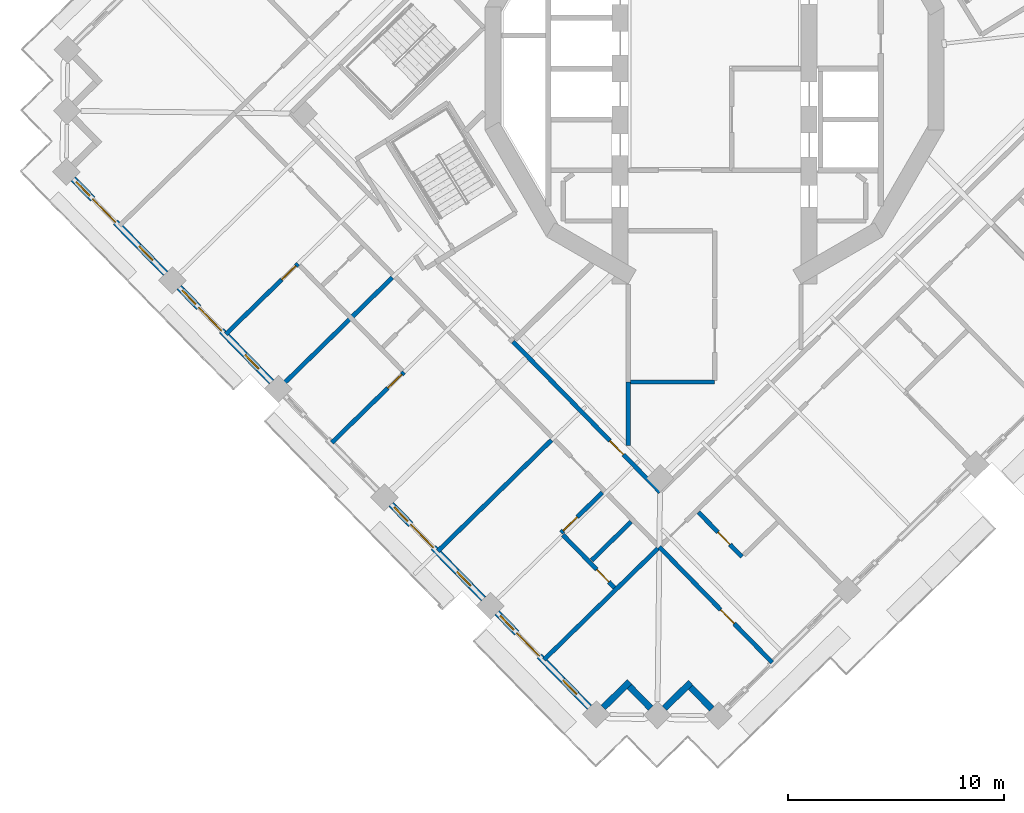
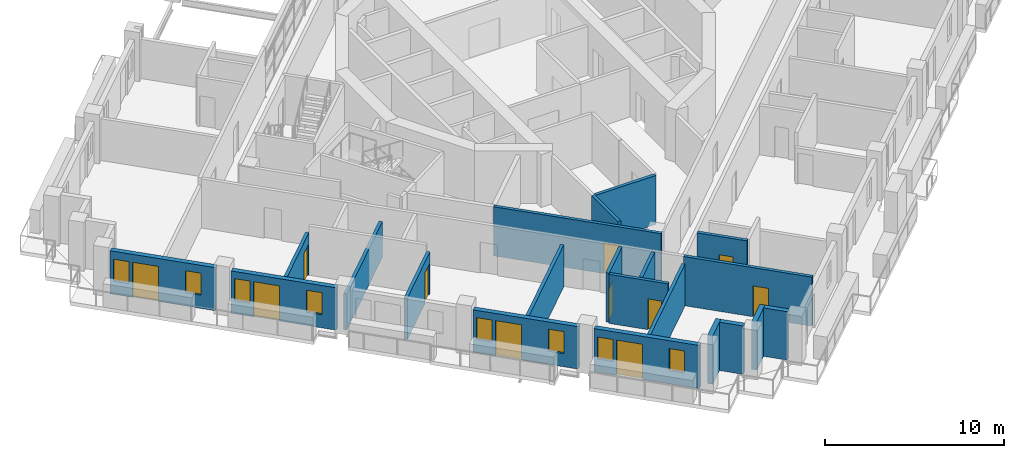
# One storey, part 5 of 18: 21 walls, 11 doors, 8 windows, 19 openings.
"""IFC4 building model written with IfcOpenShell, lengths in metres."""

from ifc_helpers import new_model, si_unit, direction, frame, frame_2d, origin, place, context, subcontext, project, spatial, rectangle, extrude, material, layer, layer_set, type_object, element, fill, save


model = new_model("IFC4")

# Units and contexts
model_context = context("Model", 3, precision=1e-05, world=origin(), true_north=direction((0.0, 1.0)))
body_context = subcontext(model_context, "Body", "Model", "MODEL_VIEW")
ifc_project = project(units=[si_unit("LENGTHUNIT", "METRE"), si_unit("AREAUNIT", "SQUARE_METRE"), si_unit("VOLUMEUNIT", "CUBIC_METRE"), si_unit("PLANEANGLEUNIT", "RADIAN"), si_unit("MASSUNIT", "GRAM", prefix="KILO")], contexts=[model_context])

# Site, building, storey
site_placement = place(None, origin())
site = spatial("IfcSite", under=ifc_project, at=site_placement, CompositionType="ELEMENT")
building_placement = place(site_placement, origin())
building = spatial("IfcBuilding", under=site, at=building_placement, Name="Cantera Rosa Tower", CompositionType="ELEMENT")
storey_placement = place(building_placement, frame((0.0, 0.0, 219.800048828125)))
storey = spatial("IfcBuildingStorey", under=building, at=storey_placement, Name="L47", CompositionType="ELEMENT", Elevation=219.800048828125)

# Wall, opening, door
ifc_material_1 = material(Name="Gypsum board partition")
ifc_layer_1 = layer(ifc_material_1, 0.199951171875)
ifc_layer_set_1 = layer_set([ifc_layer_1], Name="CORRIDOR WALL 200 H3350")
wall_type_1 = type_object("IfcWallType", Name="CORRIDOR WALL 200 H3350", PredefinedType="PARTITIONING", material=ifc_layer_set_1)
wall_1_placement = place(storey_placement, frame((-9.325927734375, -12.634521484375, 0.0), z_axis=(0.0, 0.0, 1.0), x_axis=(0.698841350765, -0.71527670622, 0.0)))
wall_1 = element("IfcWall", 1, at=wall_1_placement, inside=storey, type_object=wall_type_1, Name="CORRIDOR WALL L47-032", PredefinedType="PARTITIONING", context=body_context, shape_type="SweptSolid", body=[
    extrude(rectangle(XDim=9.729736328125, YDim=0.199951171875, at=frame_2d((4.86474609375, 0.0))), origin(), (0.0, 0.0, 1.0), 3.349853515625),
])
opening_1_placement = place(wall_1_placement, frame((6.406982421875, 0.0, 0.0)))
opening_1 = element("IfcOpeningElement", 2, at=opening_1_placement, cuts=wall_1, Name="Opening L47-010", PredefinedType="OPENING", context=body_context, shape_type="SweptSolid", body=[
    extrude(rectangle(XDim=0.89990234375, YDim=2.10009765625, at=frame_2d((0.449951171875, 1.050048828125))), frame((0.0, 0.10986328125, 0.0), z_axis=(0.0, -1.0, 0.0), x_axis=(1.0, 0.0, 0.0)), (0.0, 0.0, 1.0), 0.219970703125),
])
ifc_material_2 = material(Name="Timber door leaf", Category="wood")
door_type_1 = type_object("IfcDoorType", Name="SERVICE DOOR 900x2100", OperationType="NOTDEFINED", PredefinedType="DOOR", material=ifc_material_2)
door_1_placement = place(opening_1_placement, origin())
door_1 = element("IfcDoor", 3, at=door_1_placement, inside=storey, type_object=door_type_1, Name="DOOR L47-010", OperationType="NOTDEFINED", OverallHeight=2.10009765625, OverallWidth=0.89990234375, PredefinedType="DOOR", context=body_context, shape_type="SweptSolid", body=[
    extrude(rectangle(XDim=0.89990234375, YDim=2.10009765625, at=frame_2d((0.449951171875, 1.050048828125))), frame((0.0, 0.02490234375, 0.0), z_axis=(0.0, -1.0, 0.0), x_axis=(1.0, 0.0, 0.0)), (0.0, 0.0, 1.0), 0.050048828125),
])
fill(opening_1, door_1)

# Walls
wall_2_placement = place(storey_placement, frame((-4.0, -14.5, 0.0), z_axis=(0.0, 0.0, 1.0), x_axis=(0.0, -1.0, 0.0)))
element("IfcWall", 4, at=wall_2_placement, inside=storey, type_object=wall_type_1, Name="CORRIDOR WALL L47-051", PredefinedType="PARTITIONING", context=body_context, shape_type="SweptSolid", body=[
    extrude(rectangle(XDim=2.94189453125, YDim=0.199951171875, at=frame_2d((1.470947265625, 0.0))), origin(), (0.0, 0.0, 1.0), 3.349853515625),
])
wall_3_placement = place(storey_placement, frame((-3.89990234375, -14.5, 0.0), z_axis=(0.0, 0.0, 1.0), x_axis=(1.0, 0.0, 0.0)))
element("IfcWall", 5, at=wall_3_placement, inside=storey, type_object=wall_type_1, Name="CORRIDOR WALL L47-052", PredefinedType="PARTITIONING", context=body_context, shape_type="SweptSolid", body=[
    extrude(rectangle(XDim=3.89990234375, YDim=0.199951171875, at=frame_2d((1.949951171875, 0.0))), origin(), (0.0, 0.0, 1.0), 3.349853515625),
])
ifc_material_3 = material(Name="Hollow clay masonry with cantera stone cladding", Category="masonry")
ifc_layer_2 = layer(ifc_material_3, 0.300048828125)
ifc_layer_set_2 = layer_set([ifc_layer_2], Name="EW-LOGGIA 300")
wall_type_2 = type_object("IfcWallType", Name="EW-LOGGIA 300", PredefinedType="SOLIDWALL", material=ifc_layer_set_2)
wall_4_placement = place(storey_placement, frame((-5.15283203125, -29.56982421875, 0.0), z_axis=(0.0, 0.0, 1.0), x_axis=(0.715316077832, 0.69880105094, 0.0)))
element("IfcWall", 6, at=wall_4_placement, inside=storey, type_object=wall_type_2, Name="EN-L47-W19a", PredefinedType="SOLIDWALL", context=body_context, shape_type="SweptSolid", body=[
    extrude(rectangle(XDim=1.699951171875, YDim=0.300048828125, at=frame_2d((0.85009765625, 0.0))), origin(), (0.0, 0.0, 1.0), 3.300048828125),
])
wall_5_placement = place(storey_placement, frame((-3.939208984375, -28.593994140625, 0.0), z_axis=(0.0, 0.0, 1.0), x_axis=(0.698861982187, -0.715256548278, 0.0)))
element("IfcWall", 7, at=wall_5_placement, inside=storey, type_object=wall_type_2, Name="EN-L47-W19b", PredefinedType="SOLIDWALL", context=body_context, shape_type="SweptSolid", body=[
    extrude(rectangle(XDim=1.39990234375, YDim=0.300048828125, at=frame_2d((0.699951171875, 0.0))), origin(), (0.0, 0.0, 1.0), 3.300048828125),
])
wall_6_placement = place(storey_placement, frame((-2.324462890625, -29.602783203125, 0.0), z_axis=(0.0, 0.0, 1.0), x_axis=(0.715316077832, 0.69880105094, 0.0)))
element("IfcWall", 8, at=wall_6_placement, inside=storey, type_object=wall_type_2, Name="EN-L47-W20a", PredefinedType="SOLIDWALL", context=body_context, shape_type="SweptSolid", body=[
    extrude(rectangle(XDim=1.699951171875, YDim=0.300048828125, at=frame_2d((0.85009765625, 0.0))), origin(), (0.0, 0.0, 1.0), 3.300048828125),
])
wall_7_placement = place(storey_placement, frame((-1.111083984375, -28.626953125, 0.0), z_axis=(0.0, 0.0, 1.0), x_axis=(0.698951192766, -0.71516937164, 0.0)))
element("IfcWall", 9, at=wall_7_placement, inside=storey, type_object=wall_type_2, Name="EN-L47-W20b", PredefinedType="SOLIDWALL", context=body_context, shape_type="SweptSolid", body=[
    extrude(rectangle(XDim=1.39990234375, YDim=0.300048828125, at=frame_2d((0.699951171875, 0.0))), origin(), (0.0, 0.0, 1.0), 3.300048828125),
])

# Wall, openings, windows, door
ifc_material_4 = material(Name="Hollow clay masonry with cantera stone cladding", Category="masonry")
ifc_layer_3 = layer(ifc_material_4, 0.300048828125)
ifc_layer_set_3 = layer_set([ifc_layer_3], Name="EW-LOGGIA 300 H2890")
wall_type_3 = type_object("IfcWallType", Name="EW-LOGGIA 300 H2890", PredefinedType="SOLIDWALL", material=ifc_layer_set_3)
wall_8_placement = place(storey_placement, frame((-24.783203125, -10.120849609375, 0.0), z_axis=(0.0, 0.0, 1.0), x_axis=(0.698800768177, -0.715316354067, 0.0)))
wall_8 = element("IfcWall", 10, at=wall_8_placement, inside=storey, type_object=wall_type_3, Name="EN-L47-W15", PredefinedType="SOLIDWALL", context=body_context, shape_type="SweptSolid", body=[
    extrude(rectangle(XDim=6.119873046875, YDim=0.300048828125, at=frame_2d((3.06005859375, 0.0))), origin(), (0.0, 0.0, 1.0), 2.889892578125),
])
opening_2_placement = place(wall_8_placement, frame((0.199951171875, 0.0, 0.89990234375)))
opening_2 = element("IfcOpeningElement", 11, at=opening_2_placement, cuts=wall_8, Name="Opening L47-W25", PredefinedType="OPENING", context=body_context, shape_type="SweptSolid", body=[
    extrude(rectangle(XDim=0.89990234375, YDim=1.5, at=frame_2d((0.449951171875, 0.75))), frame((0.0, 0.159912109375, 0.0), z_axis=(0.0, -1.0, 0.0), x_axis=(1.0, 0.0, 0.0)), (0.0, 0.0, 1.0), 0.320068359375),
])
opening_3_placement = place(wall_8_placement, frame((1.300048828125, 0.0, 0.0)))
opening_3 = element("IfcOpeningElement", 12, at=opening_3_placement, cuts=wall_8, Name="Opening L47-TD26", PredefinedType="OPENING", context=body_context, shape_type="SweptSolid", body=[
    extrude(rectangle(XDim=1.5, YDim=2.39990234375, at=frame_2d((0.75, 1.199951171875))), frame((0.0, 0.159912109375, 0.0), z_axis=(0.0, -1.0, 0.0), x_axis=(1.0, 0.0, 0.0)), (0.0, 0.0, 1.0), 0.320068359375),
])
opening_4_placement = place(wall_8_placement, frame((4.364990234375, 0.0, 0.89990234375)))
opening_4 = element("IfcOpeningElement", 13, at=opening_4_placement, cuts=wall_8, Name="Opening L47-W27", PredefinedType="OPENING", context=body_context, shape_type="SweptSolid", body=[
    extrude(rectangle(XDim=0.89990234375, YDim=1.5, at=frame_2d((0.449951171875, 0.75))), frame((0.0, 0.159912109375, 0.0), z_axis=(0.0, -1.0, 0.0), x_axis=(1.0, 0.0, 0.0)), (0.0, 0.0, 1.0), 0.320068359375),
])
ifc_material_5 = material(Name="Aluminium frame with clear glass", Category="aluminium")
window_type = type_object("IfcWindowType", Name="Residential window 900x1500", PartitioningType="SINGLE_PANEL", PredefinedType="WINDOW", material=ifc_material_5)
window_1_placement = place(opening_2_placement, origin())
window_1 = element("IfcWindow", 14, at=window_1_placement, inside=storey, type_object=window_type, Name="WINDOW L47-W25", OverallHeight=1.5, OverallWidth=0.89990234375, PartitioningType="SINGLE_PANEL", PredefinedType="WINDOW", context=body_context, shape_type="SweptSolid", body=[
    extrude(rectangle(XDim=0.89990234375, YDim=1.5, at=frame_2d((0.449951171875, 0.75))), frame((0.0, 0.030029296875, 0.0), z_axis=(0.0, -1.0, 0.0), x_axis=(1.0, 0.0, 0.0)), (0.0, 0.0, 1.0), 0.06005859375),
])
fill(opening_2, window_1)
window_2_placement = place(opening_4_placement, origin())
window_2 = element("IfcWindow", 15, at=window_2_placement, inside=storey, type_object=window_type, Name="WINDOW L47-W27", OverallHeight=1.5, OverallWidth=0.89990234375, PartitioningType="SINGLE_PANEL", PredefinedType="WINDOW", context=body_context, shape_type="SweptSolid", body=[
    extrude(rectangle(XDim=0.89990234375, YDim=1.5, at=frame_2d((0.449951171875, 0.75))), frame((0.0, 0.030029296875, 0.0), z_axis=(0.0, -1.0, 0.0), x_axis=(1.0, 0.0, 0.0)), (0.0, 0.0, 1.0), 0.06005859375),
])
fill(opening_4, window_2)
ifc_material_6 = material(Name="Aluminium frame with clear glass", Category="aluminium")
door_type_2 = type_object("IfcDoorType", Name="TD-R 1500x2400", OperationType="NOTDEFINED", PredefinedType="DOOR", material=ifc_material_6)
door_2_placement = place(opening_3_placement, origin())
door_2 = element("IfcDoor", 16, at=door_2_placement, inside=storey, type_object=door_type_2, Name="LOGGIA DOOR L47-TD26", OperationType="SLIDING_TO_LEFT", OverallHeight=2.39990234375, OverallWidth=1.5, PredefinedType="DOOR", context=body_context, shape_type="SweptSolid", body=[
    extrude(rectangle(XDim=1.5, YDim=2.39990234375, at=frame_2d((0.75, 1.199951171875))), frame((0.0, 0.02490234375, 0.0), z_axis=(0.0, -1.0, 0.0), x_axis=(1.0, 0.0, 0.0)), (0.0, 0.0, 1.0), 0.050048828125),
])
fill(opening_3, door_2)

wall_9_placement = place(storey_placement, frame((-14.9716796875, -20.16357421875, 0.0), z_axis=(0.0, 0.0, 1.0), x_axis=(0.698841120217, -0.71527693147, 0.0)))
wall_9 = element("IfcWall", 17, at=wall_9_placement, inside=storey, type_object=wall_type_3, Name="EN-L47-W17", PredefinedType="SOLIDWALL", context=body_context, shape_type="SweptSolid", body=[
    extrude(rectangle(XDim=6.119873046875, YDim=0.300048828125, at=frame_2d((3.06005859375, 0.0))), origin(), (0.0, 0.0, 1.0), 2.889892578125),
])
opening_5_placement = place(wall_9_placement, frame((0.199951171875, 0.0, 0.89990234375)))
opening_5 = element("IfcOpeningElement", 18, at=opening_5_placement, cuts=wall_9, Name="Opening L47-W31", PredefinedType="OPENING", context=body_context, shape_type="SweptSolid", body=[
    extrude(rectangle(XDim=0.89990234375, YDim=1.5, at=frame_2d((0.449951171875, 0.75))), frame((0.0, 0.159912109375, 0.0), z_axis=(0.0, -1.0, 0.0), x_axis=(1.0, 0.0, 0.0)), (0.0, 0.0, 1.0), 0.320068359375),
])
opening_6_placement = place(wall_9_placement, frame((1.300048828125, 0.0, 0.0)))
opening_6 = element("IfcOpeningElement", 19, at=opening_6_placement, cuts=wall_9, Name="Opening L47-TD32", PredefinedType="OPENING", context=body_context, shape_type="SweptSolid", body=[
    extrude(rectangle(XDim=1.5, YDim=2.39990234375, at=frame_2d((0.75, 1.199951171875))), frame((0.0, 0.159912109375, 0.0), z_axis=(0.0, -1.0, 0.0), x_axis=(1.0, 0.0, 0.0)), (0.0, 0.0, 1.0), 0.320068359375),
])
opening_7_placement = place(wall_9_placement, frame((4.364990234375, 0.0, 0.89990234375)))
opening_7 = element("IfcOpeningElement", 20, at=opening_7_placement, cuts=wall_9, Name="Opening L47-W33", PredefinedType="OPENING", context=body_context, shape_type="SweptSolid", body=[
    extrude(rectangle(XDim=0.89990234375, YDim=1.5, at=frame_2d((0.449951171875, 0.75))), frame((0.0, 0.159912109375, 0.0), z_axis=(0.0, -1.0, 0.0), x_axis=(1.0, 0.0, 0.0)), (0.0, 0.0, 1.0), 0.320068359375),
])
window_3_placement = place(opening_5_placement, origin())
window_3 = element("IfcWindow", 21, at=window_3_placement, inside=storey, type_object=window_type, Name="WINDOW L47-W31", OverallHeight=1.5, OverallWidth=0.89990234375, PartitioningType="SINGLE_PANEL", PredefinedType="WINDOW", context=body_context, shape_type="SweptSolid", body=[
    extrude(rectangle(XDim=0.89990234375, YDim=1.5, at=frame_2d((0.449951171875, 0.75))), frame((0.0, 0.030029296875, 0.0), z_axis=(0.0, -1.0, 0.0), x_axis=(1.0, 0.0, 0.0)), (0.0, 0.0, 1.0), 0.06005859375),
])
fill(opening_5, window_3)
window_4_placement = place(opening_7_placement, origin())
window_4 = element("IfcWindow", 22, at=window_4_placement, inside=storey, type_object=window_type, Name="WINDOW L47-W33", OverallHeight=1.5, OverallWidth=0.89990234375, PartitioningType="SINGLE_PANEL", PredefinedType="WINDOW", context=body_context, shape_type="SweptSolid", body=[
    extrude(rectangle(XDim=0.89990234375, YDim=1.5, at=frame_2d((0.449951171875, 0.75))), frame((0.0, 0.030029296875, 0.0), z_axis=(0.0, -1.0, 0.0), x_axis=(1.0, 0.0, 0.0)), (0.0, 0.0, 1.0), 0.06005859375),
])
fill(opening_7, window_4)
door_3_placement = place(opening_6_placement, origin())
door_3 = element("IfcDoor", 23, at=door_3_placement, inside=storey, type_object=door_type_2, Name="LOGGIA DOOR L47-TD32", OperationType="SLIDING_TO_LEFT", OverallHeight=2.39990234375, OverallWidth=1.5, PredefinedType="DOOR", context=body_context, shape_type="SweptSolid", body=[
    extrude(rectangle(XDim=1.5, YDim=2.39990234375, at=frame_2d((0.75, 1.199951171875))), frame((0.0, 0.02490234375, 0.0), z_axis=(0.0, -1.0, 0.0), x_axis=(1.0, 0.0, 0.0)), (0.0, 0.0, 1.0), 0.050048828125),
])
fill(opening_6, door_3)

ifc_material_7 = material(Name="Hollow clay masonry with cantera stone cladding", Category="masonry")
ifc_layer_4 = layer(ifc_material_7, 0.300048828125)
ifc_layer_set_4 = layer_set([ifc_layer_4], Name="EW-LOGGIA 300 H2940")
wall_type_4 = type_object("IfcWallType", Name="EW-LOGGIA 300 H2940", PredefinedType="SOLIDWALL", material=ifc_layer_set_4)
wall_10_placement = place(storey_placement, frame((-29.689208984375, -5.099609375, 0.0), z_axis=(0.0, 0.0, 1.0), x_axis=(0.69882117953, -0.715296413412, 0.0)))
wall_10 = element("IfcWall", 24, at=wall_10_placement, inside=storey, type_object=wall_type_4, Name="EN-L47-W14", PredefinedType="SOLIDWALL", context=body_context, shape_type="SweptSolid", body=[
    extrude(rectangle(XDim=6.1201171875, YDim=0.300048828125, at=frame_2d((3.06005859375, 0.0))), origin(), (0.0, 0.0, 1.0), 2.93994140625),
])
opening_8_placement = place(wall_10_placement, frame((0.199951171875, 0.0, 0.89990234375)))
opening_8 = element("IfcOpeningElement", 25, at=opening_8_placement, cuts=wall_10, Name="Opening L47-W22", PredefinedType="OPENING", context=body_context, shape_type="SweptSolid", body=[
    extrude(rectangle(XDim=0.89990234375, YDim=1.5, at=frame_2d((0.449951171875, 0.75))), frame((0.0, 0.159912109375, 0.0), z_axis=(0.0, -1.0, 0.0), x_axis=(1.0, 0.0, 0.0)), (0.0, 0.0, 1.0), 0.320068359375),
])
opening_9_placement = place(wall_10_placement, frame((1.300048828125, 0.0, 0.0)))
opening_9 = element("IfcOpeningElement", 26, at=opening_9_placement, cuts=wall_10, Name="Opening L47-TD23", PredefinedType="OPENING", context=body_context, shape_type="SweptSolid", body=[
    extrude(rectangle(XDim=1.5, YDim=2.39990234375, at=frame_2d((0.75, 1.199951171875))), frame((0.0, 0.159912109375, 0.0), z_axis=(0.0, -1.0, 0.0), x_axis=(1.0, 0.0, 0.0)), (0.0, 0.0, 1.0), 0.320068359375),
])
opening_10_placement = place(wall_10_placement, frame((4.364990234375, 0.0, 0.89990234375)))
opening_10 = element("IfcOpeningElement", 27, at=opening_10_placement, cuts=wall_10, Name="Opening L47-W24", PredefinedType="OPENING", context=body_context, shape_type="SweptSolid", body=[
    extrude(rectangle(XDim=0.89990234375, YDim=1.5, at=frame_2d((0.449951171875, 0.75))), frame((0.0, 0.159912109375, 0.0), z_axis=(0.0, -1.0, 0.0), x_axis=(1.0, 0.0, 0.0)), (0.0, 0.0, 1.0), 0.320068359375),
])
window_5_placement = place(opening_8_placement, origin())
window_5 = element("IfcWindow", 28, at=window_5_placement, inside=storey, type_object=window_type, Name="WINDOW L47-W22", OverallHeight=1.5, OverallWidth=0.89990234375, PartitioningType="SINGLE_PANEL", PredefinedType="WINDOW", context=body_context, shape_type="SweptSolid", body=[
    extrude(rectangle(XDim=0.89990234375, YDim=1.5, at=frame_2d((0.449951171875, 0.75))), frame((0.0, 0.030029296875, 0.0), z_axis=(0.0, -1.0, 0.0), x_axis=(1.0, 0.0, 0.0)), (0.0, 0.0, 1.0), 0.06005859375),
])
fill(opening_8, window_5)
window_6_placement = place(opening_10_placement, origin())
window_6 = element("IfcWindow", 29, at=window_6_placement, inside=storey, type_object=window_type, Name="WINDOW L47-W24", OverallHeight=1.5, OverallWidth=0.89990234375, PartitioningType="SINGLE_PANEL", PredefinedType="WINDOW", context=body_context, shape_type="SweptSolid", body=[
    extrude(rectangle(XDim=0.89990234375, YDim=1.5, at=frame_2d((0.449951171875, 0.75))), frame((0.0, 0.030029296875, 0.0), z_axis=(0.0, -1.0, 0.0), x_axis=(1.0, 0.0, 0.0)), (0.0, 0.0, 1.0), 0.06005859375),
])
fill(opening_10, window_6)
door_4_placement = place(opening_9_placement, origin())
door_4 = element("IfcDoor", 30, at=door_4_placement, inside=storey, type_object=door_type_2, Name="LOGGIA DOOR L47-TD23", OperationType="SLIDING_TO_LEFT", OverallHeight=2.39990234375, OverallWidth=1.5, PredefinedType="DOOR", context=body_context, shape_type="SweptSolid", body=[
    extrude(rectangle(XDim=1.5, YDim=2.39990234375, at=frame_2d((0.75, 1.199951171875))), frame((0.0, 0.02490234375, 0.0), z_axis=(0.0, -1.0, 0.0), x_axis=(1.0, 0.0, 0.0)), (0.0, 0.0, 1.0), 0.050048828125),
])
fill(opening_9, door_4)

wall_11_placement = place(storey_placement, frame((-10.06591796875, -25.184814453125, 0.0), z_axis=(0.0, 0.0, 1.0), x_axis=(0.69882117953, -0.715296413412, 0.0)))
wall_11 = element("IfcWall", 31, at=wall_11_placement, inside=storey, type_object=wall_type_4, Name="EN-L47-W18", PredefinedType="SOLIDWALL", context=body_context, shape_type="SweptSolid", body=[
    extrude(rectangle(XDim=6.1201171875, YDim=0.300048828125, at=frame_2d((3.06005859375, 0.0))), origin(), (0.0, 0.0, 1.0), 2.93994140625),
])
opening_11_placement = place(wall_11_placement, frame((0.199951171875, 0.0, 0.89990234375)))
opening_11 = element("IfcOpeningElement", 32, at=opening_11_placement, cuts=wall_11, Name="Opening L47-W34", PredefinedType="OPENING", context=body_context, shape_type="SweptSolid", body=[
    extrude(rectangle(XDim=0.89990234375, YDim=1.5, at=frame_2d((0.449951171875, 0.75))), frame((0.0, 0.159912109375, 0.0), z_axis=(0.0, -1.0, 0.0), x_axis=(1.0, 0.0, 0.0)), (0.0, 0.0, 1.0), 0.320068359375),
])
opening_12_placement = place(wall_11_placement, frame((1.300048828125, 0.0, 0.0)))
opening_12 = element("IfcOpeningElement", 33, at=opening_12_placement, cuts=wall_11, Name="Opening L47-TD35", PredefinedType="OPENING", context=body_context, shape_type="SweptSolid", body=[
    extrude(rectangle(XDim=1.5, YDim=2.39990234375, at=frame_2d((0.75, 1.199951171875))), frame((0.0, 0.159912109375, 0.0), z_axis=(0.0, -1.0, 0.0), x_axis=(1.0, 0.0, 0.0)), (0.0, 0.0, 1.0), 0.320068359375),
])
opening_13_placement = place(wall_11_placement, frame((4.364990234375, 0.0, 0.89990234375)))
opening_13 = element("IfcOpeningElement", 34, at=opening_13_placement, cuts=wall_11, Name="Opening L47-W36", PredefinedType="OPENING", context=body_context, shape_type="SweptSolid", body=[
    extrude(rectangle(XDim=0.89990234375, YDim=1.5, at=frame_2d((0.449951171875, 0.75))), frame((0.0, 0.159912109375, 0.0), z_axis=(0.0, -1.0, 0.0), x_axis=(1.0, 0.0, 0.0)), (0.0, 0.0, 1.0), 0.320068359375),
])
window_7_placement = place(opening_11_placement, origin())
window_7 = element("IfcWindow", 35, at=window_7_placement, inside=storey, type_object=window_type, Name="WINDOW L47-W34", OverallHeight=1.5, OverallWidth=0.89990234375, PartitioningType="SINGLE_PANEL", PredefinedType="WINDOW", context=body_context, shape_type="SweptSolid", body=[
    extrude(rectangle(XDim=0.89990234375, YDim=1.5, at=frame_2d((0.449951171875, 0.75))), frame((0.0, 0.030029296875, 0.0), z_axis=(0.0, -1.0, 0.0), x_axis=(1.0, 0.0, 0.0)), (0.0, 0.0, 1.0), 0.06005859375),
])
fill(opening_11, window_7)
window_8_placement = place(opening_13_placement, origin())
window_8 = element("IfcWindow", 36, at=window_8_placement, inside=storey, type_object=window_type, Name="WINDOW L47-W36", OverallHeight=1.5, OverallWidth=0.89990234375, PartitioningType="SINGLE_PANEL", PredefinedType="WINDOW", context=body_context, shape_type="SweptSolid", body=[
    extrude(rectangle(XDim=0.89990234375, YDim=1.5, at=frame_2d((0.449951171875, 0.75))), frame((0.0, 0.030029296875, 0.0), z_axis=(0.0, -1.0, 0.0), x_axis=(1.0, 0.0, 0.0)), (0.0, 0.0, 1.0), 0.06005859375),
])
fill(opening_13, window_8)
door_5_placement = place(opening_12_placement, origin())
door_5 = element("IfcDoor", 37, at=door_5_placement, inside=storey, type_object=door_type_2, Name="LOGGIA DOOR L47-TD35", OperationType="SLIDING_TO_LEFT", OverallHeight=2.39990234375, OverallWidth=1.5, PredefinedType="DOOR", context=body_context, shape_type="SweptSolid", body=[
    extrude(rectangle(XDim=1.5, YDim=2.39990234375, at=frame_2d((0.75, 1.199951171875))), frame((0.0, 0.02490234375, 0.0), z_axis=(0.0, -1.0, 0.0), x_axis=(1.0, 0.0, 0.0)), (0.0, 0.0, 1.0), 0.050048828125),
])
fill(opening_12, door_5)

# Wall, opening, door
ifc_material_8 = material(Name="Gypsum board partition")
ifc_layer_5 = layer(ifc_material_8, 0.199951171875)
ifc_layer_set_5 = layer_set([ifc_layer_5], Name="PARTITION 200 H2850")
wall_type_5 = type_object("IfcWallType", Name="PARTITION 200 H2850", PredefinedType="PARTITIONING", material=ifc_layer_set_5)
wall_12_placement = place(storey_placement, frame((-22.623291015625, -12.288818359375, 0.0), z_axis=(0.0, 0.0, 1.0), x_axis=(0.715241248144, 0.698877640903, 0.0)))
wall_12 = element("IfcWall", 38, at=wall_12_placement, inside=storey, type_object=wall_type_5, Name="PARTITION L47-001", PredefinedType="PARTITIONING", context=body_context, shape_type="SweptSolid", body=[
    extrude(rectangle(XDim=4.669921875, YDim=0.199951171875, at=frame_2d((2.3349609375, 0.0))), origin(), (0.0, 0.0, 1.0), 2.849853515625),
])
opening_14_placement = place(wall_12_placement, frame((3.6201171875, 0.0, 0.0)))
opening_14 = element("IfcOpeningElement", 39, at=opening_14_placement, cuts=wall_12, Name="Opening L47-039", PredefinedType="OPENING", context=body_context, shape_type="SweptSolid", body=[
    extrude(rectangle(XDim=0.89990234375, YDim=2.10009765625, at=frame_2d((0.449951171875, 1.050048828125))), frame((0.0, 0.10986328125, 0.0), z_axis=(0.0, -1.0, 0.0), x_axis=(1.0, 0.0, 0.0)), (0.0, 0.0, 1.0), 0.219970703125),
])
ifc_material_9 = material(Name="Timber door leaf", Category="wood")
door_type_3 = type_object("IfcDoorType", Name="ROOM DOOR 900x2100", OperationType="NOTDEFINED", PredefinedType="DOOR", material=ifc_material_9)
door_6_placement = place(opening_14_placement, origin())
door_6 = element("IfcDoor", 40, at=door_6_placement, inside=storey, type_object=door_type_3, Name="DOOR L47-039", OperationType="NOTDEFINED", OverallHeight=2.10009765625, OverallWidth=0.89990234375, PredefinedType="DOOR", context=body_context, shape_type="SweptSolid", body=[
    extrude(rectangle(XDim=0.89990234375, YDim=2.10009765625, at=frame_2d((0.449951171875, 1.050048828125))), frame((0.0, 0.02490234375, 0.0), z_axis=(0.0, -1.0, 0.0), x_axis=(1.0, 0.0, 0.0)), (0.0, 0.0, 1.0), 0.050048828125),
])
fill(opening_14, door_6)

wall_13_placement = place(storey_placement, frame((-14.377197265625, -14.04638671875, 0.0), z_axis=(0.0, 0.0, 1.0), x_axis=(-0.715266781779, -0.698851508465, 0.0)))
wall_13 = element("IfcWall", 41, at=wall_13_placement, inside=storey, type_object=wall_type_5, Name="PARTITION L47-018", PredefinedType="PARTITIONING", context=body_context, shape_type="SweptSolid", body=[
    extrude(rectangle(XDim=4.670166015625, YDim=0.199951171875, at=frame_2d((2.3349609375, 0.0))), origin(), (0.0, 0.0, 1.0), 2.849853515625),
])
opening_15_placement = place(wall_13_placement, frame((0.14990234375, 0.0, 0.0)))
opening_15 = element("IfcOpeningElement", 42, at=opening_15_placement, cuts=wall_13, Name="Opening L47-042", PredefinedType="OPENING", context=body_context, shape_type="SweptSolid", body=[
    extrude(rectangle(XDim=0.89990234375, YDim=2.10009765625, at=frame_2d((0.449951171875, 1.050048828125))), frame((0.0, 0.10986328125, 0.0), z_axis=(0.0, -1.0, 0.0), x_axis=(1.0, 0.0, 0.0)), (0.0, 0.0, 1.0), 0.219970703125),
])
door_7_placement = place(opening_15_placement, origin())
door_7 = element("IfcDoor", 43, at=door_7_placement, inside=storey, type_object=door_type_3, Name="DOOR L47-042", OperationType="NOTDEFINED", OverallHeight=2.10009765625, OverallWidth=0.89990234375, PredefinedType="DOOR", context=body_context, shape_type="SweptSolid", body=[
    extrude(rectangle(XDim=0.89990234375, YDim=2.10009765625, at=frame_2d((0.449951171875, 1.050048828125))), frame((0.0, 0.02490234375, 0.0), z_axis=(0.0, -1.0, 0.0), x_axis=(1.0, 0.0, 0.0)), (0.0, 0.0, 1.0), 0.050048828125),
])
fill(opening_15, door_7)

ifc_material_10 = material(Name="Gypsum board partition")
ifc_layer_6 = layer(ifc_material_10, 0.199951171875)
ifc_layer_set_6 = layer_set([ifc_layer_6], Name="PARTITION 200 H3350")
wall_type_6 = type_object("IfcWallType", Name="PARTITION 200 H3350", PredefinedType="PARTITIONING", material=ifc_layer_set_6)
wall_14_placement = place(storey_placement, frame((-7.109375, -21.485595703125, 0.0), z_axis=(0.0, 0.0, 1.0), x_axis=(0.715257569765, 0.698860936735, 0.0)))
wall_14 = element("IfcWall", 44, at=wall_14_placement, inside=storey, type_object=wall_type_6, Name="PARTITION L47-040", PredefinedType="PARTITIONING", context=body_context, shape_type="SweptSolid", body=[
    extrude(rectangle(XDim=2.68017578125, YDim=0.199951171875, at=frame_2d((1.340087890625, 0.0))), origin(), (0.0, 0.0, 1.0), 3.349853515625),
])
opening_16_placement = place(wall_14_placement, frame((0.14990234375, 0.0, 0.0)))
opening_16 = element("IfcOpeningElement", 45, at=opening_16_placement, cuts=wall_14, Name="Opening L47-045", PredefinedType="OPENING", context=body_context, shape_type="SweptSolid", body=[
    extrude(rectangle(XDim=0.89990234375, YDim=2.10009765625, at=frame_2d((0.449951171875, 1.050048828125))), frame((0.0, 0.10986328125, 0.0), z_axis=(0.0, -1.0, 0.0), x_axis=(1.0, 0.0, 0.0)), (0.0, 0.0, 1.0), 0.219970703125),
])
door_8_placement = place(opening_16_placement, origin())
door_8 = element("IfcDoor", 46, at=door_8_placement, inside=storey, type_object=door_type_3, Name="DOOR L47-045", OperationType="NOTDEFINED", OverallHeight=2.10009765625, OverallWidth=0.89990234375, PredefinedType="DOOR", context=body_context, shape_type="SweptSolid", body=[
    extrude(rectangle(XDim=0.89990234375, YDim=2.10009765625, at=frame_2d((0.449951171875, 1.050048828125))), frame((0.0, 0.02490234375, 0.0), z_axis=(0.0, -1.0, 0.0), x_axis=(1.0, 0.0, 0.0)), (0.0, 0.0, 1.0), 0.050048828125),
])
fill(opening_16, door_8)

# Wall
wall_15_placement = place(storey_placement, frame((-5.69580078125, -22.7607421875, 0.0), z_axis=(0.0, 0.0, 1.0), x_axis=(0.715260872502, 0.698857556493, 0.0)))
element("IfcWall", 47, at=wall_15_placement, inside=storey, type_object=wall_type_6, Name="PARTITION L47-046", PredefinedType="PARTITIONING", context=body_context, shape_type="SweptSolid", body=[
    extrude(rectangle(XDim=2.56005859375, YDim=0.199951171875, at=frame_2d((1.280029296875, 0.0))), origin(), (0.0, 0.0, 1.0), 3.349853515625),
])

# Wall, opening, door
wall_16_placement = place(storey_placement, frame((-4.628662109375, -24.02490234375, 0.0), z_axis=(0.0, 0.0, 1.0), x_axis=(-0.698765784632, 0.715350528222, 0.0)))
wall_16 = element("IfcWall", 48, at=wall_16_placement, inside=storey, type_object=wall_type_6, Name="PARTITION L47-050", PredefinedType="PARTITIONING", context=body_context, shape_type="SweptSolid", body=[
    extrude(rectangle(XDim=3.429931640625, YDim=0.199951171875, at=frame_2d((1.71484375, 0.0))), origin(), (0.0, 0.0, 1.0), 3.349853515625),
])
opening_17_placement = place(wall_16_placement, frame((0.375, 0.0, 0.0)))
opening_17 = element("IfcOpeningElement", 49, at=opening_17_placement, cuts=wall_16, Name="Opening L47-044", PredefinedType="OPENING", context=body_context, shape_type="SweptSolid", body=[
    extrude(rectangle(XDim=0.800048828125, YDim=2.10009765625, at=frame_2d((0.39990234375, 1.050048828125))), frame((0.0, 0.10986328125, 0.0), z_axis=(0.0, -1.0, 0.0), x_axis=(1.0, 0.0, 0.0)), (0.0, 0.0, 1.0), 0.219970703125),
])
ifc_material_11 = material(Name="Timber door leaf", Category="wood")
door_type_4 = type_object("IfcDoorType", Name="BATHROOM DOOR 800x2100", OperationType="NOTDEFINED", PredefinedType="DOOR", material=ifc_material_11)
door_9_placement = place(opening_17_placement, origin())
door_9 = element("IfcDoor", 50, at=door_9_placement, inside=storey, type_object=door_type_4, Name="DOOR L47-044", OperationType="NOTDEFINED", OverallHeight=2.10009765625, OverallWidth=0.800048828125, PredefinedType="DOOR", context=body_context, shape_type="SweptSolid", body=[
    extrude(rectangle(XDim=0.800048828125, YDim=2.10009765625, at=frame_2d((0.39990234375, 1.050048828125))), frame((0.0, 0.02490234375, 0.0), z_axis=(0.0, -1.0, 0.0), x_axis=(1.0, 0.0, 0.0)), (0.0, 0.0, 1.0), 0.050048828125),
])
fill(opening_17, door_9)

wall_17_placement = place(storey_placement, frame((-2.555908203125, -22.1396484375, 0.0), z_axis=(0.0, 0.0, 1.0), x_axis=(0.698839096465, -0.715278908715, 0.0)))
wall_17 = element("IfcWall", 51, at=wall_17_placement, inside=storey, type_object=wall_type_6, Name="PARTITION L47-057", PredefinedType="PARTITIONING", context=body_context, shape_type="SweptSolid", body=[
    extrude(rectangle(XDim=7.4697265625, YDim=0.199951171875, at=frame_2d((3.73486328125, 0.0))), origin(), (0.0, 0.0, 1.0), 3.349853515625),
])
opening_18_placement = place(wall_17_placement, frame((4.050048828125, 0.0, 0.0)))
opening_18 = element("IfcOpeningElement", 52, at=opening_18_placement, cuts=wall_17, Name="Opening L47-055", PredefinedType="OPENING", context=body_context, shape_type="SweptSolid", body=[
    extrude(rectangle(XDim=0.89990234375, YDim=2.10009765625, at=frame_2d((0.449951171875, 1.050048828125))), frame((0.0, 0.10986328125, 0.0), z_axis=(0.0, -1.0, 0.0), x_axis=(1.0, 0.0, 0.0)), (0.0, 0.0, 1.0), 0.219970703125),
])
door_10_placement = place(opening_18_placement, origin())
door_10 = element("IfcDoor", 53, at=door_10_placement, inside=storey, type_object=door_type_3, Name="DOOR L47-055", OperationType="NOTDEFINED", OverallHeight=2.10009765625, OverallWidth=0.89990234375, PredefinedType="DOOR", context=body_context, shape_type="SweptSolid", body=[
    extrude(rectangle(XDim=0.89990234375, YDim=2.10009765625, at=frame_2d((0.449951171875, 1.050048828125))), frame((0.0, 0.02490234375, 0.0), z_axis=(0.0, -1.0, 0.0), x_axis=(1.0, 0.0, 0.0)), (0.0, 0.0, 1.0), 0.050048828125),
])
fill(opening_18, door_10)

wall_18_placement = place(storey_placement, frame((1.271484375, -22.59423828125, 0.0), z_axis=(0.0, 0.0, 1.0), x_axis=(-0.698792995546, 0.715323947157, 0.0)))
wall_18 = element("IfcWall", 54, at=wall_18_placement, inside=storey, type_object=wall_type_6, Name="PARTITION L47-068", PredefinedType="PARTITIONING", context=body_context, shape_type="SweptSolid", body=[
    extrude(rectangle(XDim=2.8798828125, YDim=0.199951171875, at=frame_2d((1.43994140625, 0.0))), origin(), (0.0, 0.0, 1.0), 3.349853515625),
])
opening_19_placement = place(wall_18_placement, frame((0.800048828125, 0.0, 0.0)))
opening_19 = element("IfcOpeningElement", 55, at=opening_19_placement, cuts=wall_18, Name="Opening L47-054", PredefinedType="OPENING", context=body_context, shape_type="SweptSolid", body=[
    extrude(rectangle(XDim=0.800048828125, YDim=2.10009765625, at=frame_2d((0.39990234375, 1.050048828125))), frame((0.0, 0.10986328125, 0.0), z_axis=(0.0, -1.0, 0.0), x_axis=(1.0, 0.0, 0.0)), (0.0, 0.0, 1.0), 0.219970703125),
])
door_11_placement = place(opening_19_placement, origin())
door_11 = element("IfcDoor", 56, at=door_11_placement, inside=storey, type_object=door_type_4, Name="DOOR L47-054", OperationType="NOTDEFINED", OverallHeight=2.10009765625, OverallWidth=0.800048828125, PredefinedType="DOOR", context=body_context, shape_type="SweptSolid", body=[
    extrude(rectangle(XDim=0.800048828125, YDim=2.10009765625, at=frame_2d((0.39990234375, 1.050048828125))), frame((0.0, 0.02490234375, 0.0), z_axis=(0.0, -1.0, 0.0), x_axis=(1.0, 0.0, 0.0)), (0.0, 0.0, 1.0), 0.050048828125),
])
fill(opening_19, door_11)

# Walls
ifc_material_12 = material(Name="Gypsum board partition")
ifc_layer_7 = layer(ifc_material_12, 0.199951171875)
ifc_layer_set_7 = layer_set([ifc_layer_7], Name="PARTY WALL 200 H2450")
wall_type_7 = type_object("IfcWallType", Name="PARTY WALL 200 H2450", PredefinedType="PARTITIONING", material=ifc_layer_set_7)
wall_19_placement = place(storey_placement, frame((-14.9130859375, -9.6630859375, 0.0), z_axis=(0.0, 0.0, 1.0), x_axis=(-0.715296630095, -0.698820957739, 0.0)))
element("IfcWall", 57, at=wall_19_placement, inside=storey, type_object=wall_type_7, Name="PARTY WALL L47-017", PredefinedType="PARTITIONING", context=body_context, shape_type="SweptSolid", body=[
    extrude(rectangle(XDim=7.349853515625, YDim=0.199951171875, at=frame_2d((3.6748046875, 0.0))), origin(), (0.0, 0.0, 1.0), 2.449951171875),
])
ifc_material_13 = material(Name="Gypsum board partition")
ifc_layer_8 = layer(ifc_material_13, 0.199951171875)
ifc_layer_set_8 = layer_set([ifc_layer_8], Name="PARTY WALL 200 H2850")
wall_type_8 = type_object("IfcWallType", Name="PARTY WALL 200 H2850", PredefinedType="PARTITIONING", material=ifc_layer_set_8)
wall_20_placement = place(storey_placement, frame((-7.899169921875, -27.35986328125, 0.0), z_axis=(0.0, 0.0, 1.0), x_axis=(0.715290686101, 0.698827041819, 0.0)))
element("IfcWall", 58, at=wall_20_placement, inside=storey, type_object=wall_type_8, Name="PARTY WALL L47-033", PredefinedType="PARTITIONING", context=body_context, shape_type="SweptSolid", body=[
    extrude(rectangle(XDim=7.3701171875, YDim=0.199951171875, at=frame_2d((3.68505859375, 0.0))), origin(), (0.0, 0.0, 1.0), 2.849853515625),
])
wall_21_placement = place(storey_placement, frame((-7.554443359375, -17.195068359375, 0.0), z_axis=(0.0, 0.0, 1.0), x_axis=(-0.715296630095, -0.698820957739, 0.0)))
element("IfcWall", 59, at=wall_21_placement, inside=storey, type_object=wall_type_8, Name="PARTY WALL L47-039", PredefinedType="PARTITIONING", context=body_context, shape_type="SweptSolid", body=[
    extrude(rectangle(XDim=7.349853515625, YDim=0.199951171875, at=frame_2d((3.6748046875, 0.0))), origin(), (0.0, 0.0, 1.0), 2.849853515625),
])

save(model, "model.ifc")
